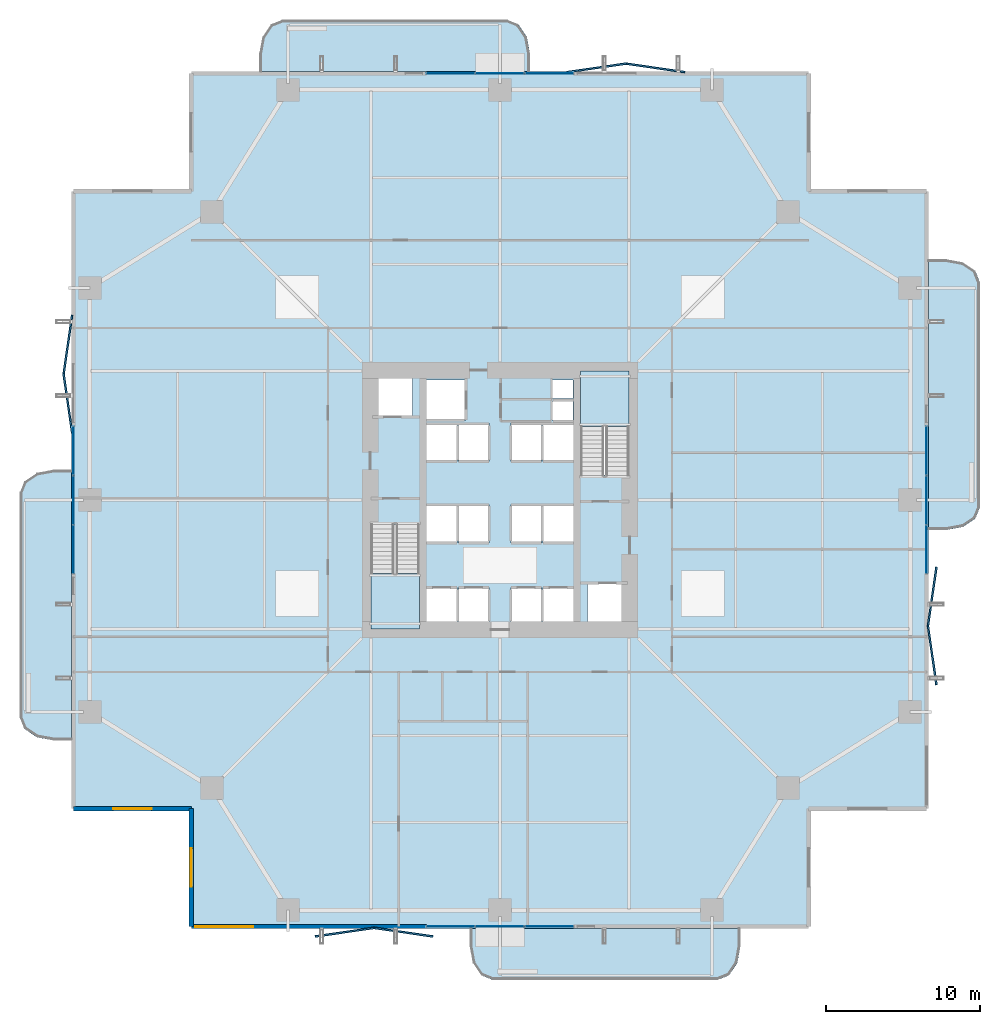
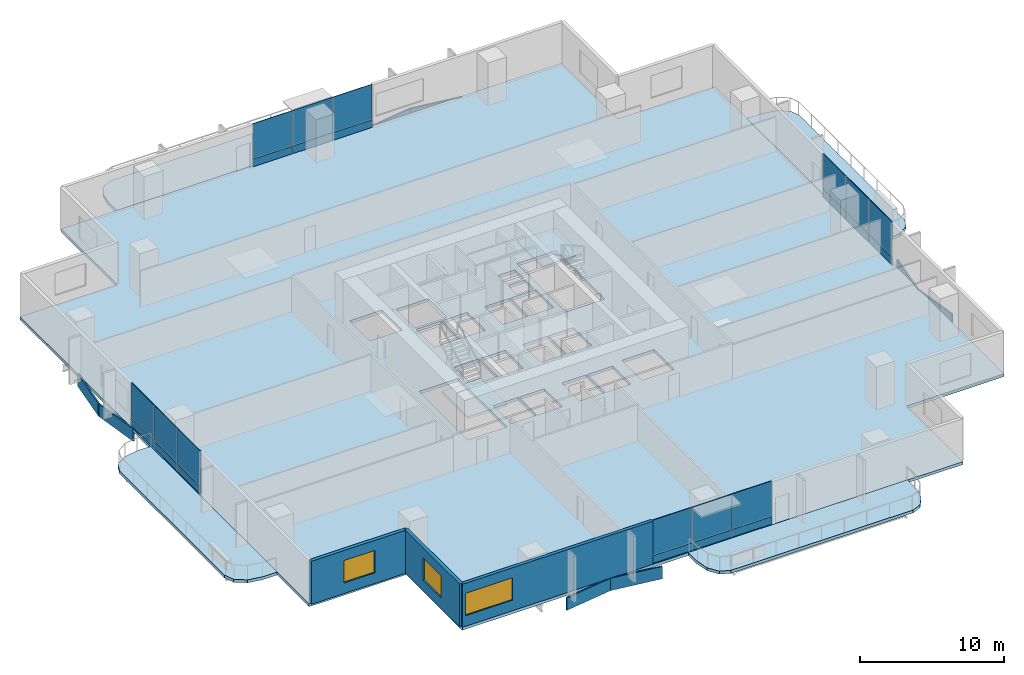
# One storey, part 16 of 24: 32 plates, 7 slabs, 3 walls, 3 windows, 3 openings, 6 elements without a shape of their own.
"""IFC4 building model written with IfcOpenShell, lengths in metres."""

from ifc_helpers import new_model, si_unit, direction, frame, frame_2d, origin, origin_2d, place, context, subcontext, project, spatial, polyline, rectangle, outline, extrude, material, layer, layer_set, type_object, element, fill, aggregate, save


model = new_model("IFC4")

# Units and contexts
model_context = context("Model", 3, precision=1e-05, world=origin(), true_north=direction((0.0, 1.0)))
body_context = subcontext(model_context, "Body", "Model", "MODEL_VIEW")
ifc_project = project(units=[si_unit("LENGTHUNIT", "METRE"), si_unit("AREAUNIT", "SQUARE_METRE"), si_unit("VOLUMEUNIT", "CUBIC_METRE"), si_unit("PLANEANGLEUNIT", "RADIAN"), si_unit("MASSUNIT", "GRAM", prefix="KILO")], contexts=[model_context])

# Site, building, storey
site_placement = place(None, origin())
site = spatial("IfcSite", under=ifc_project, at=site_placement, CompositionType="ELEMENT")
building_placement = place(site_placement, origin())
building = spatial("IfcBuilding", under=site, at=building_placement, Name="Belovzor Exchange Tower", CompositionType="ELEMENT")
storey_placement = place(building_placement, frame((0.0, 0.0, 92.39990234375)))
storey = spatial("IfcBuildingStorey", under=building, at=storey_placement, Name="L22", CompositionType="ELEMENT", Elevation=92.39990234375)

# Slab
ifc_material_1 = material(Name="Concrete C40/50", Category="concrete")
ifc_layer_1 = layer(ifc_material_1, 0.25)
ifc_layer_set_1 = layer_set([ifc_layer_1], Name="Concrete C40/50")
slab_type_1 = type_object("IfcSlabType", Name="Composite Concrete Floor Deck Slab 250", PredefinedType="FLOOR", material=ifc_layer_set_1)
slab_1_placement = place(storey_placement, frame((0.0, 0.0, -0.25)))
element("IfcSlab", 1, at=slab_1_placement, inside=storey, type_object=slab_type_1, Name="SL-F250 Structural Slab L22", PredefinedType="FLOOR", context=body_context, shape_type="SweptSolid", body=[
    extrude(outline(polyline([(8.699951171875, 0.89990234375), (48.89990234375, 0.89990234375), (48.89990234375, 8.699951171875), (56.699951171875, 8.699951171875), (56.699951171875, 48.89990234375), (48.89990234375, 48.89990234375), (48.89990234375, 56.699951171875), (8.699951171875, 56.699951171875), (8.699951171875, 48.89990234375), (0.89990234375, 48.89990234375), (0.89990234375, 8.699951171875), (8.699951171875, 8.699951171875), (8.699951171875, 0.89990234375)]), holes=[polyline([(20.39990234375, 27.175048828125), (20.39990234375, 20.39990234375), (23.550048828125, 20.39990234375), (23.550048828125, 27.175048828125), (20.39990234375, 27.175048828125)]), polyline([(37.199951171875, 30.425048828125), (37.199951171875, 37.199951171875), (34.050048828125, 37.199951171875), (34.050048828125, 30.425048828125), (37.199951171875, 30.425048828125)]), polyline([(20.5, 34.199951171875), (23.10009765625, 34.199951171875), (23.10009765625, 37.0), (20.5, 37.0), (20.5, 34.199951171875)]), polyline([(34.5, 20.60009765625), (37.10009765625, 20.60009765625), (37.10009765625, 23.39990234375), (34.5, 23.39990234375), (34.5, 20.60009765625)]), polyline([(24.0, 34.0), (26.60009765625, 34.0), (26.60009765625, 36.60009765625), (24.0, 36.60009765625), (24.0, 34.0)]), polyline([(24.0, 20.60009765625), (26.0, 20.60009765625), (26.0, 23.10009765625), (24.0, 23.10009765625), (24.0, 20.60009765625)]), polyline([(26.10009765625, 20.60009765625), (28.10009765625, 20.60009765625), (28.10009765625, 23.10009765625), (26.10009765625, 23.10009765625), (26.10009765625, 20.60009765625)]), polyline([(29.5, 20.60009765625), (31.5, 20.60009765625), (31.5, 23.10009765625), (29.5, 23.10009765625), (29.5, 20.60009765625)]), polyline([(31.60009765625, 20.60009765625), (33.60009765625, 20.60009765625), (33.60009765625, 23.10009765625), (31.60009765625, 23.10009765625), (31.60009765625, 20.60009765625)]), polyline([(24.0, 26.0), (26.0, 26.0), (26.0, 28.5), (24.0, 28.5), (24.0, 26.0)]), polyline([(26.10009765625, 26.0), (28.10009765625, 26.0), (28.10009765625, 28.5), (26.10009765625, 28.5), (26.10009765625, 26.0)]), polyline([(29.5, 26.0), (31.5, 26.0), (31.5, 28.5), (29.5, 28.5), (29.5, 26.0)]), polyline([(31.60009765625, 26.0), (33.60009765625, 26.0), (33.60009765625, 28.5), (31.60009765625, 28.5), (31.60009765625, 26.0)]), polyline([(24.0, 31.300048828125), (26.0, 31.300048828125), (26.0, 33.800048828125), (24.0, 33.800048828125), (24.0, 31.300048828125)]), polyline([(26.10009765625, 31.300048828125), (28.10009765625, 31.300048828125), (28.10009765625, 33.800048828125), (26.10009765625, 33.800048828125), (26.10009765625, 31.300048828125)]), polyline([(29.5, 31.300048828125), (31.5, 31.300048828125), (31.5, 33.800048828125), (29.5, 33.800048828125), (29.5, 31.300048828125)]), polyline([(31.60009765625, 31.300048828125), (33.60009765625, 31.300048828125), (33.60009765625, 33.800048828125), (31.60009765625, 33.800048828125), (31.60009765625, 31.300048828125)]), polyline([(32.199951171875, 34.0), (33.550048828125, 34.0), (33.550048828125, 35.199951171875), (32.199951171875, 35.199951171875), (32.199951171875, 34.0)]), polyline([(32.199951171875, 35.39990234375), (33.550048828125, 35.39990234375), (33.550048828125, 36.60009765625), (32.199951171875, 36.60009765625), (32.199951171875, 35.39990234375)])]), origin(), (0.0, 0.0, 1.0), 0.25),
])

# Plates
ifc_material_2 = material(Name="Extruded Architectural Terracotta", Category="masonry")
ifc_layer_2 = layer(ifc_material_2, 0.1201171875)
ifc_layer_set_2 = layer_set([ifc_layer_2], Name="Extruded Architectural Terracotta")
plate_type_1 = type_object("IfcPlateType", Name="Folded Zigzag Terracotta Spandrel Louvre 80", PredefinedType="USERDEFINED", material=ifc_layer_set_2)
for number, where, z_axis, x_axis, name in (
    (2, (18.699951171875, 0.6650390625, -1.03515625), (0.0, 0.0, 1.0), (0.989686419138, 0.143250800258, 0.0), "LVR-ZZ1 Zigzag Terracotta Spandrel Louvre L22 S1A"),
    (3, (22.5, 0.6650390625, -1.03515625), (0.0, 0.0, 1.0), (0.989686419138, -0.143250800258, 0.0), "LVR-ZZ1 Zigzag Terracotta Spandrel Louvre L22 S1B"),
    (4, (56.93505859375, 18.699951171875, -1.03515625), (0.0, 0.0, 1.0), (-0.143250800258, 0.989686419138, 0.0), "LVR-ZZ1 Zigzag Terracotta Spandrel Louvre L22 E1A"),
    (5, (56.93505859375, 22.5, -1.03515625), (0.0, 0.0, 1.0), (0.143250800258, 0.989686419138, 0.0), "LVR-ZZ1 Zigzag Terracotta Spandrel Louvre L22 E1B"),
    (6, (35.10009765625, 56.93505859375, -1.03515625), (0.0, 0.0, 1.0), (0.989686419138, 0.143250800258, 0.0), "LVR-ZZ1 Zigzag Terracotta Spandrel Louvre L22 N2A"),
    (7, (38.89990234375, 56.93505859375, -1.03515625), (0.0, 0.0, 1.0), (0.989686419138, -0.143250800258, 0.0), "LVR-ZZ1 Zigzag Terracotta Spandrel Louvre L22 N2B"),
    (8, (0.6650390625, 35.10009765625, -1.03515625), (0.0, 0.0, 1.0), (-0.143250800258, 0.989686419138, 0.0), "LVR-ZZ1 Zigzag Terracotta Spandrel Louvre L22 W2A"),
    (9, (0.6650390625, 38.89990234375, -1.03515625), (0.0, 0.0, 1.0), (0.143250800258, 0.989686419138, 0.0), "LVR-ZZ1 Zigzag Terracotta Spandrel Louvre L22 W2B"),
):
    element("IfcPlate", number, at=place(storey_placement, frame(where, z_axis=z_axis, x_axis=x_axis)), inside=storey, type_object=plate_type_1, Name=name, ObjectType="SPANDREL_LOUVRE", PredefinedType="USERDEFINED", context=body_context, shape_type="SweptSolid", body=[
        extrude(rectangle(XDim=3.919921875, YDim=0.1201171875, at=origin_2d()), origin(), (0.0, 0.0, 1.0), 1.050048828125),
    ])

# Curtain wall, plates
ifc_material_3 = material(Name="Anodised Aluminium Framing", Category="aluminium")
ifc_layer_3 = layer(ifc_material_3, 0.179931640625)
ifc_layer_set_3 = layer_set([ifc_layer_3], Name="Anodised Aluminium Framing")
curtain_wall_type = type_object("IfcCurtainWallType", Name="Recessed Loggia Low-Iron Triple-Glazed Curtain Wall", PredefinedType="NOTDEFINED", material=ifc_layer_set_3)
curtain_wall_1_placement = place(storey_placement, origin())
curtain_wall_1 = element("IfcCurtainWall", 10, at=curtain_wall_1_placement, inside=storey, type_object=curtain_wall_type, Name="CW3 Recessed Loggia Low-Iron Triple-Glazed Curtain Wall L22", PredefinedType="NOTDEFINED")
ifc_material_4 = material(Name="Solar-Control Triple Glazing", Category="glass")
ifc_layer_4 = layer(ifc_material_4, 0.0439453125)
ifc_layer_set_4 = layer_set([ifc_layer_4], Name="Solar-Control Triple Glazing")
plate_type_2 = type_object("IfcPlateType", Name="Insulated Solar Glazing Curtain Panel 44", PredefinedType="CURTAIN_PANEL", material=ifc_layer_set_4)
plate_1_placement = place(storey_placement, frame((32.0, 1.030029296875, 0.652099609375), z_axis=(0.0, 0.0, 1.0), x_axis=(-1.0, 0.0, 0.0)))
plate_1 = element("IfcPlate", 11, at=plate_1_placement, type_object=plate_type_2, Name="GLZ-44 Glazed Curtain Panel 1", PredefinedType="CURTAIN_PANEL", context=body_context, shape_type="SweptSolid", body=[
    extrude(rectangle(XDim=3.18408203125, YDim=0.0439453125, at=origin_2d()), origin(), (0.0, 0.0, 1.0), 2.998046875),
])
plate_2_placement = place(storey_placement, frame((28.800048828125, 1.030029296875, 0.652099609375), z_axis=(0.0, 0.0, 1.0), x_axis=(-1.0, 0.0, 0.0)))
plate_2 = element("IfcPlate", 12, at=plate_2_placement, type_object=plate_type_2, Name="GLZ-44 Glazed Curtain Panel 2", PredefinedType="CURTAIN_PANEL", context=body_context, shape_type="SweptSolid", body=[
    extrude(rectangle(XDim=3.18408203125, YDim=0.0439453125, at=origin_2d()), origin(), (0.0, 0.0, 1.0), 2.998046875),
])
plate_3_placement = place(storey_placement, frame((25.60009765625, 1.030029296875, 0.652099609375), z_axis=(0.0, 0.0, 1.0), x_axis=(-1.0, 0.0, 0.0)))
plate_3 = element("IfcPlate", 13, at=plate_3_placement, type_object=plate_type_2, Name="GLZ-44 Glazed Curtain Panel 3", PredefinedType="CURTAIN_PANEL", context=body_context, shape_type="SweptSolid", body=[
    extrude(rectangle(XDim=3.18408203125, YDim=0.0439453125, at=origin_2d()), origin(), (0.0, 0.0, 1.0), 2.998046875),
])

curtain_wall_2_placement = place(storey_placement, origin())
curtain_wall_2 = element("IfcCurtainWall", 14, at=curtain_wall_2_placement, inside=storey, type_object=curtain_wall_type, Name="CW3 Recessed Loggia Low-Iron Triple-Glazed Curtain Wall L22", PredefinedType="NOTDEFINED")
plate_4_placement = place(storey_placement, frame((25.60009765625, 56.570068359375, 0.652099609375), z_axis=(0.0, 0.0, 1.0), x_axis=(1.0, 0.0, 0.0)))
plate_4 = element("IfcPlate", 15, at=plate_4_placement, type_object=plate_type_2, Name="GLZ-44 Glazed Curtain Panel 1", PredefinedType="CURTAIN_PANEL", context=body_context, shape_type="SweptSolid", body=[
    extrude(rectangle(XDim=3.18408203125, YDim=0.0439453125, at=origin_2d()), origin(), (0.0, 0.0, 1.0), 2.998046875),
])
plate_5_placement = place(storey_placement, frame((28.800048828125, 56.570068359375, 0.652099609375), z_axis=(0.0, 0.0, 1.0), x_axis=(1.0, 0.0, 0.0)))
plate_5 = element("IfcPlate", 16, at=plate_5_placement, type_object=plate_type_2, Name="GLZ-44 Glazed Curtain Panel 2", PredefinedType="CURTAIN_PANEL", context=body_context, shape_type="SweptSolid", body=[
    extrude(rectangle(XDim=3.18408203125, YDim=0.0439453125, at=origin_2d()), origin(), (0.0, 0.0, 1.0), 2.998046875),
])
plate_6_placement = place(storey_placement, frame((32.0, 56.570068359375, 0.652099609375), z_axis=(0.0, 0.0, 1.0), x_axis=(1.0, 0.0, 0.0)))
plate_6 = element("IfcPlate", 17, at=plate_6_placement, type_object=plate_type_2, Name="GLZ-44 Glazed Curtain Panel 3", PredefinedType="CURTAIN_PANEL", context=body_context, shape_type="SweptSolid", body=[
    extrude(rectangle(XDim=3.18408203125, YDim=0.0439453125, at=origin_2d()), origin(), (0.0, 0.0, 1.0), 2.998046875),
])

curtain_wall_3_placement = place(storey_placement, origin())
curtain_wall_3 = element("IfcCurtainWall", 18, at=curtain_wall_3_placement, inside=storey, type_object=curtain_wall_type, Name="CW3 Recessed Loggia Low-Iron Triple-Glazed Curtain Wall L22", PredefinedType="NOTDEFINED")
plate_7_placement = place(storey_placement, frame((1.030029296875, 25.60009765625, 0.652099609375), z_axis=(0.0, 0.0, 1.0), x_axis=(0.0, 1.0, 0.0)))
plate_7 = element("IfcPlate", 19, at=plate_7_placement, type_object=plate_type_2, Name="GLZ-44 Glazed Curtain Panel 1", PredefinedType="CURTAIN_PANEL", context=body_context, shape_type="SweptSolid", body=[
    extrude(rectangle(XDim=3.18408203125, YDim=0.0439453125, at=origin_2d()), origin(), (0.0, 0.0, 1.0), 2.998046875),
])
plate_8_placement = place(storey_placement, frame((1.030029296875, 28.800048828125, 0.652099609375), z_axis=(0.0, 0.0, 1.0), x_axis=(0.0, 1.0, 0.0)))
plate_8 = element("IfcPlate", 20, at=plate_8_placement, type_object=plate_type_2, Name="GLZ-44 Glazed Curtain Panel 2", PredefinedType="CURTAIN_PANEL", context=body_context, shape_type="SweptSolid", body=[
    extrude(rectangle(XDim=3.18408203125, YDim=0.0439453125, at=origin_2d()), origin(), (0.0, 0.0, 1.0), 2.998046875),
])
plate_9_placement = place(storey_placement, frame((1.030029296875, 32.0, 0.652099609375), z_axis=(0.0, 0.0, 1.0), x_axis=(0.0, 1.0, 0.0)))
plate_9 = element("IfcPlate", 21, at=plate_9_placement, type_object=plate_type_2, Name="GLZ-44 Glazed Curtain Panel 3", PredefinedType="CURTAIN_PANEL", context=body_context, shape_type="SweptSolid", body=[
    extrude(rectangle(XDim=3.18408203125, YDim=0.0439453125, at=origin_2d()), origin(), (0.0, 0.0, 1.0), 2.998046875),
])

curtain_wall_4_placement = place(storey_placement, origin())
curtain_wall_4 = element("IfcCurtainWall", 22, at=curtain_wall_4_placement, inside=storey, type_object=curtain_wall_type, Name="CW3 Recessed Loggia Low-Iron Triple-Glazed Curtain Wall L22", PredefinedType="NOTDEFINED")
plate_10_placement = place(storey_placement, frame((56.570068359375, 32.0, 0.652099609375), z_axis=(0.0, 0.0, 1.0), x_axis=(0.0, -1.0, 0.0)))
plate_10 = element("IfcPlate", 23, at=plate_10_placement, type_object=plate_type_2, Name="GLZ-44 Glazed Curtain Panel 1", PredefinedType="CURTAIN_PANEL", context=body_context, shape_type="SweptSolid", body=[
    extrude(rectangle(XDim=3.18408203125, YDim=0.0439453125, at=origin_2d()), origin(), (0.0, 0.0, 1.0), 2.998046875),
])
plate_11_placement = place(storey_placement, frame((56.570068359375, 28.800048828125, 0.652099609375), z_axis=(0.0, 0.0, 1.0), x_axis=(0.0, -1.0, 0.0)))
plate_11 = element("IfcPlate", 24, at=plate_11_placement, type_object=plate_type_2, Name="GLZ-44 Glazed Curtain Panel 2", PredefinedType="CURTAIN_PANEL", context=body_context, shape_type="SweptSolid", body=[
    extrude(rectangle(XDim=3.18408203125, YDim=0.0439453125, at=origin_2d()), origin(), (0.0, 0.0, 1.0), 2.998046875),
])
plate_12_placement = place(storey_placement, frame((56.570068359375, 25.60009765625, 0.652099609375), z_axis=(0.0, 0.0, 1.0), x_axis=(0.0, -1.0, 0.0)))
plate_12 = element("IfcPlate", 25, at=plate_12_placement, type_object=plate_type_2, Name="GLZ-44 Glazed Curtain Panel 3", PredefinedType="CURTAIN_PANEL", context=body_context, shape_type="SweptSolid", body=[
    extrude(rectangle(XDim=3.18408203125, YDim=0.0439453125, at=origin_2d()), origin(), (0.0, 0.0, 1.0), 2.998046875),
])

# Stair, slab
ifc_material_5 = material(Name="Concrete C40/50", Category="concrete")
stair_type = type_object("IfcStairType", Name="Reinforced Concrete Dogleg Escape Stair 1350", PredefinedType="HALF_TURN_STAIR", material=ifc_material_5)
stair_1_placement = place(storey_placement, origin())
stair_1 = element("IfcStair", 26, at=stair_1_placement, inside=storey, type_object=stair_type, Name="L22 ST-1", PredefinedType="HALF_TURN_STAIR")
ifc_material_6 = material(Name="Concrete C40/50", Category="concrete")
ifc_layer_5 = layer(ifc_material_6, 0.199951171875)
ifc_layer_set_5 = layer_set([ifc_layer_5], Name="Concrete C40/50")
slab_type_2 = type_object("IfcSlabType", Name="Reinforced Concrete Stair Half-Landing Slab 200", PredefinedType="LANDING", material=ifc_layer_set_5)
slab_2_placement = place(storey_placement, frame((0.0, 0.0, 1.75)))
slab_2 = element("IfcSlab", 27, at=slab_2_placement, type_object=slab_type_2, Name="ST-1 landing 1", PredefinedType="LANDING", context=body_context, shape_type="SweptSolid", body=[
    extrude(outline(polyline([(20.39990234375, 24.010009765625), (20.39990234375, 20.39990234375), (23.550048828125, 20.39990234375), (23.550048828125, 24.010009765625), (20.39990234375, 24.010009765625)])), origin(), (0.0, 0.0, 1.0), 0.2001953125),
])
aggregate(stair_1, [slab_2])

stair_2_placement = place(storey_placement, origin())
stair_2 = element("IfcStair", 28, at=stair_2_placement, inside=storey, type_object=stair_type, Name="L22 ST-2", PredefinedType="HALF_TURN_STAIR")
slab_3_placement = place(storey_placement, frame((0.0, 0.0, 1.75)))
slab_3 = element("IfcSlab", 29, at=slab_3_placement, type_object=slab_type_2, Name="ST-2 landing 1", PredefinedType="LANDING", context=body_context, shape_type="SweptSolid", body=[
    extrude(outline(polyline([(37.199951171875, 33.590087890625), (37.199951171875, 37.199951171875), (34.050048828125, 37.199951171875), (34.050048828125, 33.590087890625), (37.199951171875, 33.590087890625)])), origin(), (0.0, 0.0, 1.0), 0.2001953125),
])
aggregate(stair_2, [slab_3])

# Plate
ifc_material_7 = material(Name="Extruded Architectural Terracotta", Category="masonry")
ifc_layer_6 = layer(ifc_material_7, 0.090087890625)
ifc_layer_set_6 = layer_set([ifc_layer_6], Name="Extruded Architectural Terracotta")
plate_type_3 = type_object("IfcPlateType", Name="Terracotta Shadow-Box Spandrel Panel 90", PredefinedType="CURTAIN_PANEL", material=ifc_layer_set_6)
plate_13_placement = place(storey_placement, frame((32.0, 1.030029296875, 0.000244140625), z_axis=(0.0, 0.0, 1.0), x_axis=(-1.0, 0.0, 0.0)))
plate_13 = element("IfcPlate", 30, at=plate_13_placement, type_object=plate_type_3, Name="SPD-90 Spandrel Panel 1", PredefinedType="CURTAIN_PANEL", context=body_context, shape_type="SweptSolid", body=[
    extrude(rectangle(XDim=3.18408203125, YDim=0.090087890625, at=origin_2d()), origin(), (0.0, 0.0, 1.0), 0.64794921875),
])

plate_14_placement = place(storey_placement, frame((28.800048828125, 1.030029296875, 0.000244140625), z_axis=(0.0, 0.0, 1.0), x_axis=(-1.0, 0.0, 0.0)))
plate_14 = element("IfcPlate", 31, at=plate_14_placement, type_object=plate_type_3, Name="SPD-90 Spandrel Panel 2", PredefinedType="CURTAIN_PANEL", context=body_context, shape_type="SweptSolid", body=[
    extrude(rectangle(XDim=3.18408203125, YDim=0.090087890625, at=origin_2d()), origin(), (0.0, 0.0, 1.0), 0.64794921875),
])

plate_15_placement = place(storey_placement, frame((25.60009765625, 1.030029296875, 0.000244140625), z_axis=(0.0, 0.0, 1.0), x_axis=(-1.0, 0.0, 0.0)))
plate_15 = element("IfcPlate", 32, at=plate_15_placement, type_object=plate_type_3, Name="SPD-90 Spandrel Panel 3", PredefinedType="CURTAIN_PANEL", context=body_context, shape_type="SweptSolid", body=[
    extrude(rectangle(XDim=3.18408203125, YDim=0.090087890625, at=origin_2d()), origin(), (0.0, 0.0, 1.0), 0.64794921875),
])

aggregate(curtain_wall_1, [plate_13, plate_1, plate_14, plate_2, plate_15, plate_3])

plate_16_placement = place(storey_placement, frame((25.60009765625, 56.570068359375, 0.000244140625), z_axis=(0.0, 0.0, 1.0), x_axis=(1.0, 0.0, 0.0)))
plate_16 = element("IfcPlate", 33, at=plate_16_placement, type_object=plate_type_3, Name="SPD-90 Spandrel Panel 1", PredefinedType="CURTAIN_PANEL", context=body_context, shape_type="SweptSolid", body=[
    extrude(rectangle(XDim=3.18408203125, YDim=0.090087890625, at=origin_2d()), origin(), (0.0, 0.0, 1.0), 0.64794921875),
])

plate_17_placement = place(storey_placement, frame((28.800048828125, 56.570068359375, 0.000244140625), z_axis=(0.0, 0.0, 1.0), x_axis=(1.0, 0.0, 0.0)))
plate_17 = element("IfcPlate", 34, at=plate_17_placement, type_object=plate_type_3, Name="SPD-90 Spandrel Panel 2", PredefinedType="CURTAIN_PANEL", context=body_context, shape_type="SweptSolid", body=[
    extrude(rectangle(XDim=3.18408203125, YDim=0.090087890625, at=origin_2d()), origin(), (0.0, 0.0, 1.0), 0.64794921875),
])

plate_18_placement = place(storey_placement, frame((32.0, 56.570068359375, 0.000244140625), z_axis=(0.0, 0.0, 1.0), x_axis=(1.0, 0.0, 0.0)))
plate_18 = element("IfcPlate", 35, at=plate_18_placement, type_object=plate_type_3, Name="SPD-90 Spandrel Panel 3", PredefinedType="CURTAIN_PANEL", context=body_context, shape_type="SweptSolid", body=[
    extrude(rectangle(XDim=3.18408203125, YDim=0.090087890625, at=origin_2d()), origin(), (0.0, 0.0, 1.0), 0.64794921875),
])

aggregate(curtain_wall_2, [plate_16, plate_4, plate_17, plate_5, plate_18, plate_6])

plate_19_placement = place(storey_placement, frame((1.030029296875, 25.60009765625, 0.000244140625), z_axis=(0.0, 0.0, 1.0), x_axis=(0.0, 1.0, 0.0)))
plate_19 = element("IfcPlate", 36, at=plate_19_placement, type_object=plate_type_3, Name="SPD-90 Spandrel Panel 1", PredefinedType="CURTAIN_PANEL", context=body_context, shape_type="SweptSolid", body=[
    extrude(rectangle(XDim=3.18408203125, YDim=0.090087890625, at=origin_2d()), origin(), (0.0, 0.0, 1.0), 0.64794921875),
])

plate_20_placement = place(storey_placement, frame((1.030029296875, 28.800048828125, 0.000244140625), z_axis=(0.0, 0.0, 1.0), x_axis=(0.0, 1.0, 0.0)))
plate_20 = element("IfcPlate", 37, at=plate_20_placement, type_object=plate_type_3, Name="SPD-90 Spandrel Panel 2", PredefinedType="CURTAIN_PANEL", context=body_context, shape_type="SweptSolid", body=[
    extrude(rectangle(XDim=3.18408203125, YDim=0.090087890625, at=origin_2d()), origin(), (0.0, 0.0, 1.0), 0.64794921875),
])

plate_21_placement = place(storey_placement, frame((1.030029296875, 32.0, 0.000244140625), z_axis=(0.0, 0.0, 1.0), x_axis=(0.0, 1.0, 0.0)))
plate_21 = element("IfcPlate", 38, at=plate_21_placement, type_object=plate_type_3, Name="SPD-90 Spandrel Panel 3", PredefinedType="CURTAIN_PANEL", context=body_context, shape_type="SweptSolid", body=[
    extrude(rectangle(XDim=3.18408203125, YDim=0.090087890625, at=origin_2d()), origin(), (0.0, 0.0, 1.0), 0.64794921875),
])

aggregate(curtain_wall_3, [plate_19, plate_7, plate_20, plate_8, plate_21, plate_9])

plate_22_placement = place(storey_placement, frame((56.570068359375, 32.0, 0.000244140625), z_axis=(0.0, 0.0, 1.0), x_axis=(0.0, -1.0, 0.0)))
plate_22 = element("IfcPlate", 39, at=plate_22_placement, type_object=plate_type_3, Name="SPD-90 Spandrel Panel 1", PredefinedType="CURTAIN_PANEL", context=body_context, shape_type="SweptSolid", body=[
    extrude(rectangle(XDim=3.18408203125, YDim=0.090087890625, at=origin_2d()), origin(), (0.0, 0.0, 1.0), 0.64794921875),
])

plate_23_placement = place(storey_placement, frame((56.570068359375, 28.800048828125, 0.000244140625), z_axis=(0.0, 0.0, 1.0), x_axis=(0.0, -1.0, 0.0)))
plate_23 = element("IfcPlate", 40, at=plate_23_placement, type_object=plate_type_3, Name="SPD-90 Spandrel Panel 2", PredefinedType="CURTAIN_PANEL", context=body_context, shape_type="SweptSolid", body=[
    extrude(rectangle(XDim=3.18408203125, YDim=0.090087890625, at=origin_2d()), origin(), (0.0, 0.0, 1.0), 0.64794921875),
])

plate_24_placement = place(storey_placement, frame((56.570068359375, 25.60009765625, 0.000244140625), z_axis=(0.0, 0.0, 1.0), x_axis=(0.0, -1.0, 0.0)))
plate_24 = element("IfcPlate", 41, at=plate_24_placement, type_object=plate_type_3, Name="SPD-90 Spandrel Panel 3", PredefinedType="CURTAIN_PANEL", context=body_context, shape_type="SweptSolid", body=[
    extrude(rectangle(XDim=3.18408203125, YDim=0.090087890625, at=origin_2d()), origin(), (0.0, 0.0, 1.0), 0.64794921875),
])

aggregate(curtain_wall_4, [plate_22, plate_10, plate_23, plate_11, plate_24, plate_12])

# Slabs
ifc_material_8 = material(Name="Concrete C40/50", Category="concrete")
ifc_layer_7 = layer(ifc_material_8, 0.25)
ifc_layer_set_7 = layer_set([ifc_layer_7], Name="Concrete C40/50")
slab_type_3 = type_object("IfcSlabType", Name="Thermally Broken Planted Balcony Slab 250", PredefinedType="FLOOR", material=ifc_layer_set_7)
slab_4_placement = place(storey_placement, frame((0.0, 0.0, -0.25)))
element("IfcSlab", 42, at=slab_4_placement, inside=storey, type_object=slab_type_3, Name="SL-BAL220 Planted Balcony Loggia L22 South", PredefinedType="FLOOR", context=body_context, shape_type="SweptSolid", body=[
    extrude(outline(polyline([(26.85009765625, 0.9150390625), (26.85009765625, -0.25), (27.051025390625, -1.35009765625), (27.60009765625, -2.155029296875), (28.35009765625, -2.449951171875), (42.949951171875, -2.449951171875), (43.699951171875, -2.155029296875), (44.2490234375, -1.35009765625), (44.449951171875, -0.25), (44.449951171875, 0.9150390625), (26.85009765625, 0.9150390625)])), origin(), (0.0, 0.0, 1.0), 0.25),
])
slab_5_placement = place(storey_placement, frame((0.0, 0.0, -0.25)))
element("IfcSlab", 43, at=slab_5_placement, inside=storey, type_object=slab_type_3, Name="SL-BAL220 Planted Balcony Loggia L22 North", PredefinedType="FLOOR", context=body_context, shape_type="SweptSolid", body=[
    extrude(outline(polyline([(30.75, 56.68505859375), (30.75, 57.85009765625), (30.549072265625, 58.949951171875), (30.0, 59.7548828125), (29.25, 60.050048828125), (14.64990234375, 60.050048828125), (13.89990234375, 59.7548828125), (13.35107421875, 58.949951171875), (13.14990234375, 57.85009765625), (13.14990234375, 56.68505859375), (30.75, 56.68505859375)])), origin(), (0.0, 0.0, 1.0), 0.25),
])
slab_6_placement = place(storey_placement, frame((0.0, 0.0, -0.25)))
element("IfcSlab", 44, at=slab_6_placement, inside=storey, type_object=slab_type_3, Name="SL-BAL220 Planted Balcony Loggia L22 East", PredefinedType="FLOOR", context=body_context, shape_type="SweptSolid", body=[
    extrude(outline(polyline([(56.68505859375, 26.85009765625), (57.85009765625, 26.85009765625), (58.949951171875, 27.051025390625), (59.7548828125, 27.60009765625), (60.050048828125, 28.35009765625), (60.050048828125, 42.949951171875), (59.7548828125, 43.699951171875), (58.949951171875, 44.2490234375), (57.85009765625, 44.449951171875), (56.68505859375, 44.449951171875), (56.68505859375, 26.85009765625)])), origin(), (0.0, 0.0, 1.0), 0.25),
])
slab_7_placement = place(storey_placement, frame((0.0, 0.0, -0.25)))
element("IfcSlab", 45, at=slab_7_placement, inside=storey, type_object=slab_type_3, Name="SL-BAL220 Planted Balcony Loggia L22 West", PredefinedType="FLOOR", context=body_context, shape_type="SweptSolid", body=[
    extrude(outline(polyline([(0.9150390625, 30.75), (-0.25, 30.75), (-1.35009765625, 30.549072265625), (-2.155029296875, 30.0), (-2.449951171875, 29.25), (-2.449951171875, 14.64990234375), (-2.155029296875, 13.89990234375), (-1.35009765625, 13.35107421875), (-0.25, 13.14990234375), (0.9150390625, 13.14990234375), (0.9150390625, 30.75)])), origin(), (0.0, 0.0, 1.0), 0.25),
])

# Wall, opening, window
ifc_material_9 = material(Name="Precast concrete C40/50", Category="concrete")
ifc_layer_8 = layer(ifc_material_9, 0.280029296875)
ifc_layer_set_8 = layer_set([ifc_layer_8], Name="Precast concrete C40/50")
wall_type_1 = type_object("IfcWallType", Name="Precast Concrete Notched Corner Frame Wall 280", PredefinedType="SOLIDWALL", material=ifc_layer_set_8)
wall_1_placement = place(storey_placement, frame((8.699951171875, 1.030029296875, 0.0), z_axis=(0.0, 0.0, 1.0), x_axis=(0.0, 1.0, 0.0)))
wall_1 = element("IfcWall", 46, at=wall_1_placement, inside=storey, type_object=wall_type_1, Name="W-CRN280 Precast Concrete Notched Corner Frame Wall 280 L22", PredefinedType="SOLIDWALL", context=body_context, shape_type="SweptSolid", body=[
    extrude(rectangle(XDim=7.669921875, YDim=0.280029296875, at=frame_2d((3.8349609375, 0.0))), origin(), (0.0, 0.0, 1.0), 3.650146484375),
])
opening_1_placement = place(wall_1_placement, frame((2.5849609375, 0.0, 0.89990234375)))
opening_1 = element("IfcOpeningElement", 47, at=opening_1_placement, cuts=wall_1, Name="Opening WN-CRN250", PredefinedType="OPENING", context=body_context, shape_type="SweptSolid", body=[
    extrude(rectangle(XDim=2.5, YDim=1.89990234375, at=frame_2d((1.25, 0.949951171875))), frame((0.0, 0.14990234375, 0.0), z_axis=(0.0, -1.0, 0.0), x_axis=(1.0, 0.0, 0.0)), (0.0, 0.0, 1.0), 0.300048828125),
])
ifc_material_10 = material(Name="Thermally Broken Aluminium and Triple Glazing", Category="aluminium")
window_type_1 = type_object("IfcWindowType", Name="Streamline Moderne Corner Wrap Ribbon Window 2500x1900", PartitioningType="SINGLE_PANEL", PredefinedType="WINDOW", material=ifc_material_10)
window_1_placement = place(opening_1_placement, origin())
window_1 = element("IfcWindow", 48, at=window_1_placement, inside=storey, type_object=window_type_1, Name="WN-CRN250 Streamline Moderne Corner Wrap Ribbon Window 2500x1900", OverallHeight=1.89990234375, OverallWidth=2.5, PartitioningType="SINGLE_PANEL", PredefinedType="WINDOW", context=body_context, shape_type="SweptSolid", body=[
    extrude(rectangle(XDim=2.5, YDim=1.89990234375, at=frame_2d((1.25, 0.949951171875))), frame((0.0, 0.030029296875, 0.0), z_axis=(0.0, -1.0, 0.0), x_axis=(1.0, 0.0, 0.0)), (0.0, 0.0, 1.0), 0.06005859375),
])
fill(opening_1, window_1)

wall_2_placement = place(storey_placement, frame((8.699951171875, 8.699951171875, 0.0), z_axis=(0.0, 0.0, 1.0), x_axis=(-1.0, 0.0, 0.0)))
wall_2 = element("IfcWall", 49, at=wall_2_placement, inside=storey, type_object=wall_type_1, Name="W-CRN280 Precast Concrete Notched Corner Frame Wall 280 L22", PredefinedType="SOLIDWALL", context=body_context, shape_type="SweptSolid", body=[
    extrude(rectangle(XDim=7.669921875, YDim=0.280029296875, at=frame_2d((3.8349609375, 0.0))), origin(), (0.0, 0.0, 1.0), 3.650146484375),
])
opening_2_placement = place(wall_2_placement, frame((2.5849609375, 0.0, 0.89990234375)))
opening_2 = element("IfcOpeningElement", 50, at=opening_2_placement, cuts=wall_2, Name="Opening WN-CRN250", PredefinedType="OPENING", context=body_context, shape_type="SweptSolid", body=[
    extrude(rectangle(XDim=2.5, YDim=1.89990234375, at=frame_2d((1.25, 0.949951171875))), frame((0.0, 0.14990234375, 0.0), z_axis=(0.0, -1.0, 0.0), x_axis=(1.0, 0.0, 0.0)), (0.0, 0.0, 1.0), 0.300048828125),
])
window_2_placement = place(opening_2_placement, origin())
window_2 = element("IfcWindow", 51, at=window_2_placement, inside=storey, type_object=window_type_1, Name="WN-CRN250 Streamline Moderne Corner Wrap Ribbon Window 2500x1900", OverallHeight=1.89990234375, OverallWidth=2.5, PartitioningType="SINGLE_PANEL", PredefinedType="WINDOW", context=body_context, shape_type="SweptSolid", body=[
    extrude(rectangle(XDim=2.5, YDim=1.89990234375, at=frame_2d((1.25, 0.949951171875))), frame((0.0, 0.030029296875, 0.0), z_axis=(0.0, -1.0, 0.0), x_axis=(1.0, 0.0, 0.0)), (0.0, 0.0, 1.0), 0.06005859375),
])
fill(opening_2, window_2)

ifc_material_11 = material(Name="Precast concrete C40/50", Category="concrete")
ifc_layer_9 = layer(ifc_material_11, 0.260009765625)
ifc_layer_set_9 = layer_set([ifc_layer_9], Name="Precast concrete C40/50")
wall_type_2 = type_object("IfcWallType", Name="Precast Concrete Perimeter Loggia Frame Wall 260", PredefinedType="SOLIDWALL", material=ifc_layer_set_9)
wall_3_placement = place(storey_placement, frame((24.0, 1.030029296875, 0.0), z_axis=(0.0, 0.0, 1.0), x_axis=(-1.0, 0.0, 0.0)))
wall_3 = element("IfcWall", 52, at=wall_3_placement, inside=storey, type_object=wall_type_2, Name="W-EXT260 Precast Concrete Perimeter Loggia Frame Wall 260 L22", PredefinedType="SOLIDWALL", context=body_context, shape_type="SweptSolid", body=[
    extrude(rectangle(XDim=15.300048828125, YDim=0.260009765625, at=frame_2d((7.64990234375, 0.0))), origin(), (0.0, 0.0, 1.0), 3.650146484375),
])
opening_3_placement = place(wall_3_placement, frame((11.25, 0.0, 0.89990234375)))
opening_3 = element("IfcOpeningElement", 53, at=opening_3_placement, cuts=wall_3, Name="Opening WN-RIB380", PredefinedType="OPENING", context=body_context, shape_type="SweptSolid", body=[
    extrude(rectangle(XDim=3.800048828125, YDim=1.89990234375, at=frame_2d((1.89990234375, 0.949951171875))), frame((0.0, 0.139892578125, 0.0), z_axis=(0.0, -1.0, 0.0), x_axis=(1.0, 0.0, 0.0)), (0.0, 0.0, 1.0), 0.280029296875),
])
ifc_material_12 = material(Name="Thermally Broken Aluminium and Triple Glazing", Category="aluminium")
window_type_2 = type_object("IfcWindowType", Name="Streamline Moderne Horizontal Ribbon Window 3800x1900", PartitioningType="SINGLE_PANEL", PredefinedType="WINDOW", material=ifc_material_12)
window_3_placement = place(opening_3_placement, origin())
window_3 = element("IfcWindow", 54, at=window_3_placement, inside=storey, type_object=window_type_2, Name="WN-RIB380 Streamline Moderne Horizontal Ribbon Window 3800x1900", OverallHeight=1.89990234375, OverallWidth=3.800048828125, PartitioningType="SINGLE_PANEL", PredefinedType="WINDOW", context=body_context, shape_type="SweptSolid", body=[
    extrude(rectangle(XDim=3.800048828125, YDim=1.89990234375, at=frame_2d((1.89990234375, 0.949951171875))), frame((0.0, 0.030029296875, 0.0), z_axis=(0.0, -1.0, 0.0), x_axis=(1.0, 0.0, 0.0)), (0.0, 0.0, 1.0), 0.06005859375),
])
fill(opening_3, window_3)

save(model, "model.ifc")
